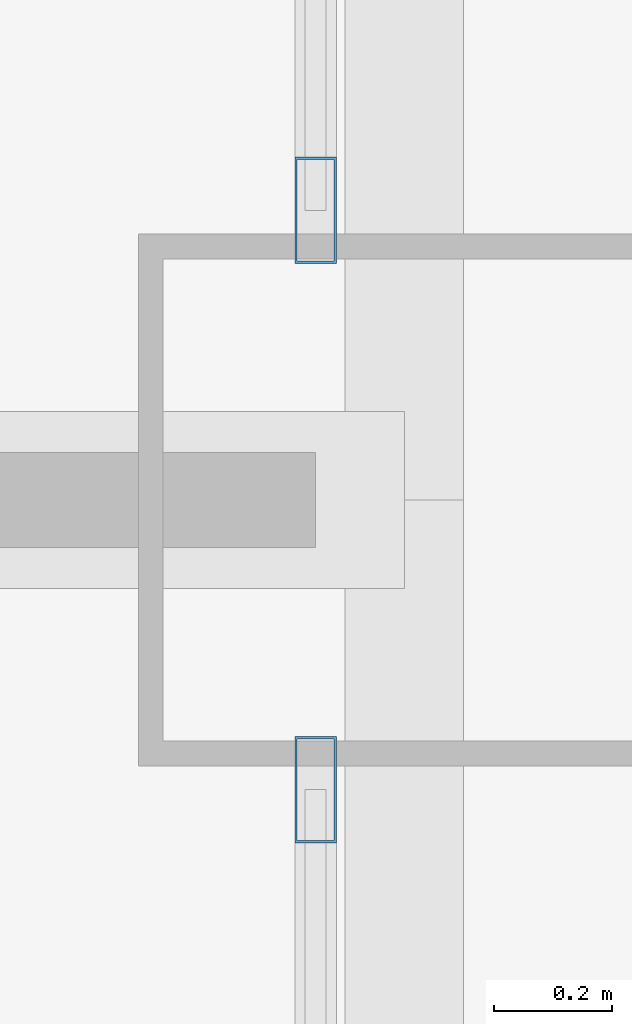
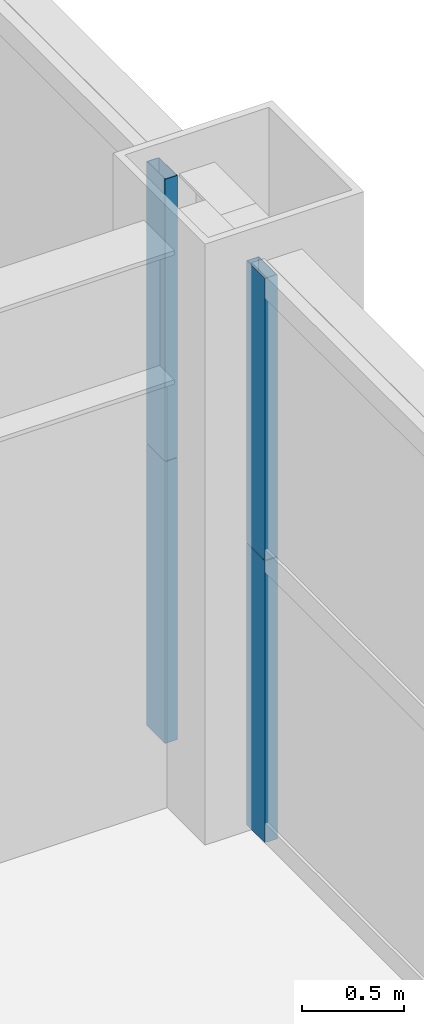
# One storey, part 22 of 45: 4 members, 2 elements without a shape of their own.
"""IFC4 building model written with IfcOpenShell, lengths in metres."""

from ifc_helpers import new_model, si_unit, direction, frame, origin, origin_2d, place, context, subcontext, project, spatial, hollow_rectangle, extrude, source, transform, mapped, material, layer, layer_set, material_profile, profile_set, type_object, element, aggregate, save


model = new_model("IFC4")

# Units and contexts
model_context = context("Model", 3, precision=1e-05, world=origin(), true_north=direction((0.0, 1.0)))
body_context = subcontext(model_context, "Body", "Model", "MODEL_VIEW")
ifc_project = project(units=[si_unit("LENGTHUNIT", "METRE"), si_unit("AREAUNIT", "SQUARE_METRE"), si_unit("VOLUMEUNIT", "CUBIC_METRE"), si_unit("PLANEANGLEUNIT", "RADIAN"), si_unit("MASSUNIT", "GRAM", prefix="KILO"), si_unit("THERMODYNAMICTEMPERATUREUNIT", "KELVIN"), si_unit("POWERUNIT", "WATT")], contexts=[model_context])

# Site, building, storey
site_placement = place(None, origin())
site = spatial("IfcSite", under=ifc_project, at=site_placement, CompositionType="ELEMENT")
building_placement = place(site_placement, origin())
building = spatial("IfcBuilding", under=site, at=building_placement, Name="Yuzanri Waterfront Tower", CompositionType="ELEMENT")
storey_placement = place(building_placement, frame((0.0, 0.0, 34.199951171875)))
storey = spatial("IfcBuildingStorey", under=building, at=storey_placement, Name="L08", CompositionType="ELEMENT", Elevation=34.199951171875)

# Curtain wall, members
ifc_material_1 = material(Name="Anodized Architectural Bronze", Category="metal")
ifc_layer = layer(ifc_material_1, 0.159912109375)
ifc_layer_set = layer_set([ifc_layer], Name="Anodized Architectural Bronze")
curtain_wall_type = type_object("IfcCurtainWallType", Name="Anodized Bronze Hotel Lower-Tier Recessed Unitized Curtain Wall 8100", PredefinedType="NOTDEFINED", material=ifc_layer_set)
curtain_wall_1_placement = place(storey_placement, origin())
curtain_wall_1 = element("IfcCurtainWall", 1, at=curtain_wall_1_placement, inside=storey, type_object=curtain_wall_type, Name="L08 Curtain Wall CW-L08-EL", PredefinedType="NOTDEFINED")
ifc_material_2 = material(Name="Anodized Architectural Bronze", Category="metal")
ifc_material_profile = material_profile(ifc_material_2, hollow_rectangle(XDim=0.070068359375, YDim=0.179931640625, WallThickness=0.00390625, at=origin_2d()), Name="CWM 70x180")
ifc_profile_set = profile_set([ifc_material_profile], Name="Anodized Architectural Bronze")
member_type = type_object("IfcMemberType", Name="Anodized Bronze Standard Curtain-Wall Mullion 70x180", PredefinedType="MULLION", material=ifc_profile_set)
shared_shape = source(origin(), body_context, "Body", "SweptSolid", [
    extrude(hollow_rectangle(XDim=0.070068359375, YDim=0.179931640625, WallThickness=0.00390625, at=origin_2d()), origin(), (0.0, 0.0, 1.0), 1.68798828125),
])
member_1_placement = place(storey_placement, frame((61.949951171875, 25.31005859375, 0.0), z_axis=(0.0, 0.0, 1.0), x_axis=(1.0, 0.0, 0.0)))
member_1 = element("IfcMember", 2, at=member_1_placement, type_object=member_type, Name="CW-L08-EL Lower Mullion 02", PredefinedType="MULLION", context=body_context, shape_type="MappedRepresentation", body=[
    mapped(shared_shape, transform((0.0, 0.0, 0.0), scale=1.0)),
])
member_2_placement = place(storey_placement, frame((61.949951171875, 25.31005859375, 1.692138671875), z_axis=(0.0, 0.0, 1.0), x_axis=(1.0, 0.0, 0.0)))
member_2 = element("IfcMember", 3, at=member_2_placement, type_object=member_type, Name="CW-L08-EL Upper Mullion 02", PredefinedType="MULLION", context=body_context, shape_type="MappedRepresentation", body=[
    mapped(shared_shape, transform((0.0, 0.0, 0.0), scale=1.0)),
])
aggregate(curtain_wall_1, [member_1, member_2])

curtain_wall_2_placement = place(storey_placement, origin())
curtain_wall_2 = element("IfcCurtainWall", 4, at=curtain_wall_2_placement, inside=storey, type_object=curtain_wall_type, Name="L08 Curtain Wall CW-L08-ER", PredefinedType="NOTDEFINED")
member_3_placement = place(storey_placement, frame((61.949951171875, 26.2900390625, 0.0), z_axis=(0.0, 0.0, 1.0), x_axis=(1.0, 0.0, 0.0)))
member_3 = element("IfcMember", 5, at=member_3_placement, type_object=member_type, Name="CW-L08-ER Lower Mullion 00", PredefinedType="MULLION", context=body_context, shape_type="MappedRepresentation", body=[
    mapped(shared_shape, transform((0.0, 0.0, 0.0), scale=1.0)),
])
member_4_placement = place(storey_placement, frame((61.949951171875, 26.2900390625, 1.692138671875), z_axis=(0.0, 0.0, 1.0), x_axis=(1.0, 0.0, 0.0)))
member_4 = element("IfcMember", 6, at=member_4_placement, type_object=member_type, Name="CW-L08-ER Upper Mullion 00", PredefinedType="MULLION", context=body_context, shape_type="MappedRepresentation", body=[
    mapped(shared_shape, transform((0.0, 0.0, 0.0), scale=1.0)),
])
aggregate(curtain_wall_2, [member_3, member_4])

save(model, "model.ifc")
